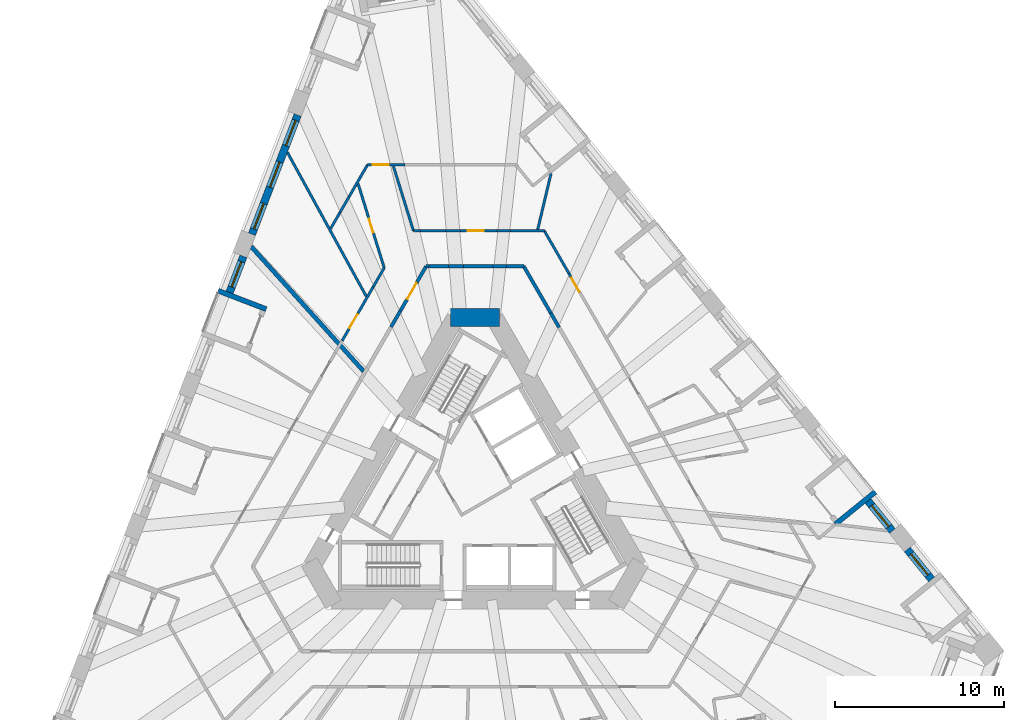
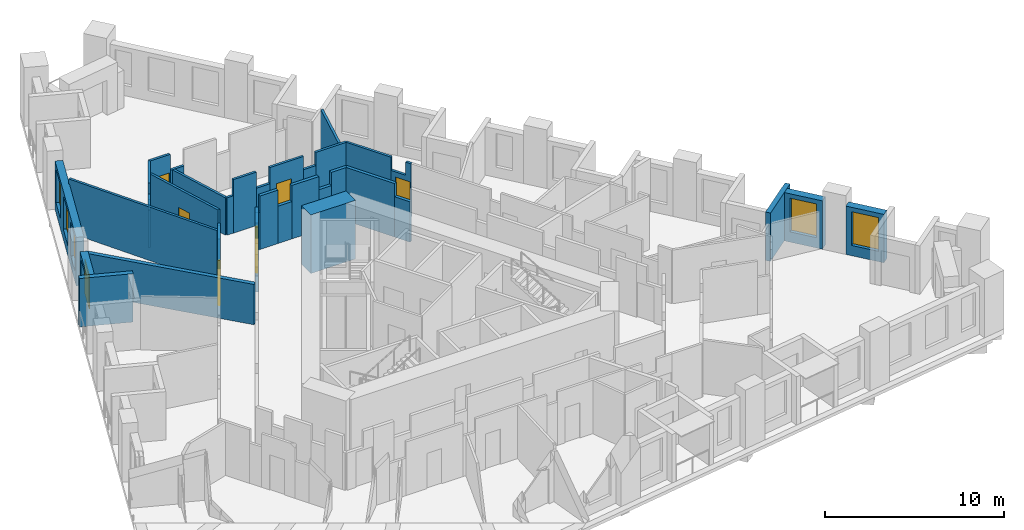
# One storey, part 8 of 14: 38 walls, 6 doors, 6 windows, 12 openings.
"""IFC4 building model written with IfcOpenShell, lengths in metres."""

import ifcopenshell
import ifcopenshell.guid

model = None  # the IFC model being written
_history = None  # IfcOwnerHistory: only IFC2X3 demands one
_inside = {}  # id of a spatial element -> (the spatial element, [elements in it])
_under = {}  # id of a project, library or spatial element -> (it, [spatial elements below it])
_declared = {}  # id of a project -> (the project, [libraries it declares])
_typed = {}  # id of a type object -> (the type object, [elements of that type])
_made_of = {}  # id of a material, layer set ... -> (it, [elements and type objects made of it])


def new_model(schema):
    """Start an empty IFC model of exactly this schema.

    Asked for "IFC4X3", IfcOpenShell would pick the latest addendum, in which some entities
    have other attributes; the version numbers below select the first issue.
    IFC2X3 requires an IfcOwnerHistory on every rooted entity: one is made here for all.
    """
    global model, _history
    if schema == "IFC4X3":
        model = ifcopenshell.file(schema_version=(4, 3, 0, 0))
    else:
        model = ifcopenshell.file(schema=schema)
    _inside.clear()
    _under.clear()
    _declared.clear()
    _typed.clear()
    _made_of.clear()
    _history = None
    if model.schema == "IFC2X3":
        org = make("IfcOrganization", Name="unknown")
        user = make(
            "IfcPersonAndOrganization",
            ThePerson=make("IfcPerson", FamilyName="unknown"),
            TheOrganization=org,
        )
        app = make(
            "IfcApplication",
            ApplicationDeveloper=org,
            Version="unknown",
            ApplicationFullName="unknown",
            ApplicationIdentifier="unknown",
        )
        _history = make(
            "IfcOwnerHistory",
            OwningUser=user,
            OwningApplication=app,
            ChangeAction="ADDED",
            CreationDate=0,
        )
    return model


def make(cls, **values):
    """One entity of the class cls with the attributes given. An attribute that is None is left unset."""
    return model.create_entity(
        cls, **{name: value for name, value in values.items() if value is not None}
    )


def rooted(cls, **values):
    """An entity with a GlobalId (a new one), such as an element, a storey or a relation."""
    return make(cls, GlobalId=ifcopenshell.guid.new(), OwnerHistory=_history, **values)


def si_unit(unit_type, name, prefix=None):
    """IfcSIUnit, for example si_unit("LENGTHUNIT", "METRE", prefix="MILLI")."""
    return make("IfcSIUnit", UnitType=unit_type, Prefix=prefix, Name=name)


def assignment(units):
    """IfcUnitAssignment: the units of a project."""
    return None if units is None else make("IfcUnitAssignment", Units=units)


def point(xyz):
    """IfcCartesianPoint."""
    return None if xyz is None else make("IfcCartesianPoint", Coordinates=xyz)


def direction(xyz):
    """IfcDirection."""
    return None if xyz is None else make("IfcDirection", DirectionRatios=xyz)


def frame(location, z_axis=None, x_axis=None):
    """IfcAxis2Placement3D, a coordinate frame: its origin and axes. An axis left out is left unset."""
    return make(
        "IfcAxis2Placement3D",
        Location=point(location),
        Axis=direction(z_axis),
        RefDirection=direction(x_axis),
    )


def frame_2d(location, x_axis=None):
    """IfcAxis2Placement2D, a coordinate frame in the plane: its origin and x axis."""
    return make(
        "IfcAxis2Placement2D", Location=point(location), RefDirection=direction(x_axis)
    )


def origin():
    """The frame at (0, 0, 0) with its axes left unset."""
    return frame((0.0, 0.0, 0.0))


def place(relative_to, where):
    """IfcLocalPlacement: puts the frame where relative to a parent placement (None: the world)."""
    return make(
        "IfcLocalPlacement", PlacementRelTo=relative_to, RelativePlacement=where
    )


def context(
    kind, dimensions, precision=None, world=None, true_north=None, identifier=None
):
    """IfcGeometricRepresentationContext, for example the 3D "Model" context."""
    return make(
        "IfcGeometricRepresentationContext",
        ContextIdentifier=identifier,
        ContextType=kind,
        CoordinateSpaceDimension=dimensions,
        Precision=precision,
        WorldCoordinateSystem=world,
        TrueNorth=true_north,
    )


def subcontext(parent, identifier, kind, view, scale=None):
    """IfcGeometricRepresentationSubContext, for example "Body" below "Model"."""
    return make(
        "IfcGeometricRepresentationSubContext",
        ContextIdentifier=identifier,
        ContextType=kind,
        ParentContext=parent,
        TargetScale=scale,
        TargetView=view,
    )


def project(units=None, contexts=None):
    """IfcProject with its units and contexts."""
    return rooted(
        "IfcProject",
        Name="project",
        RepresentationContexts=contexts,
        UnitsInContext=assignment(units),
    )


def spatial(cls, under=None, at=None, **own):
    """A site, building, storey or space (cls), placed at a placement, below another one or the project."""
    s = rooted(cls, ObjectPlacement=at, **own)
    if under is not None:
        _under.setdefault(under.id(), (under, []))[1].append(s)
    return s


def polyline(points):
    """IfcPolyline through the points."""
    return make("IfcPolyline", Points=[point(p) for p in points])


def profile(cls, at=None, kind="AREA", **sizes):
    """A parametric profile (cls). Its sizes go by their IFC names, for example OverallWidth=200.0."""
    return make(cls, ProfileType=kind, Position=at, **sizes)


def rectangle(**sizes):
    """IfcRectangleProfileDef."""
    return profile("IfcRectangleProfileDef", **sizes)


def outline(outer, holes=None, kind="AREA"):
    """IfcArbitraryClosedProfileDef: a profile drawn as a closed curve; with holes, ...WithVoids."""
    if holes is None:
        return make("IfcArbitraryClosedProfileDef", ProfileType=kind, OuterCurve=outer)
    return make(
        "IfcArbitraryProfileDefWithVoids",
        ProfileType=kind,
        OuterCurve=outer,
        InnerCurves=holes,
    )


def extrude(swept, where, along, depth):
    """IfcExtrudedAreaSolid: the profile swept, set in the frame where, extruded along a direction by depth."""
    return make(
        "IfcExtrudedAreaSolid",
        SweptArea=swept,
        Position=where,
        ExtrudedDirection=direction(along),
        Depth=depth,
    )


def shape(context_of_items, identifier, shape_type, items):
    """IfcShapeRepresentation: the items that make up one representation, for example the "Body"."""
    return make(
        "IfcShapeRepresentation",
        ContextOfItems=context_of_items,
        RepresentationIdentifier=identifier,
        RepresentationType=shape_type,
        Items=items,
    )


def material(Name=None, Category=None):
    """IfcMaterial."""
    return make("IfcMaterial", Name=Name, Category=Category)


def layer(
    of_material, thickness, ventilated=None, Name=None, Category=None, Priority=None
):
    """IfcMaterialLayer: one layer of a wall or slab, of a material (None: an air gap)."""
    return make(
        "IfcMaterialLayer",
        Material=of_material,
        LayerThickness=thickness,
        IsVentilated=ventilated,
        Name=Name,
        Category=Category,
        Priority=Priority,
    )


def layer_set(layers, Name=None):
    """IfcMaterialLayerSet."""
    return make("IfcMaterialLayerSet", MaterialLayers=layers, LayerSetName=Name)


def made_of(thing, what):
    """Note that an element or type object is made of a material, layer set ...; save() writes the relation."""
    if what is not None:
        _made_of.setdefault(what.id(), (what, []))[1].append(thing)
    return thing


def type_object(cls, material=None, **own):
    """A type object (cls), such as IfcWallType, which elements share."""
    return made_of(rooted(cls, **own), material)


def element(
    cls,
    number,
    at=None,
    inside=None,
    cuts=None,
    type_object=None,
    material=None,
    context=None,
    identifier="Body",
    shape_type=None,
    held_by="IfcProductDefinitionShape",
    body=None,
    shapes=None,
    **own,
):
    """One element of the class cls, such as IfcWall. Its Tag is "e" and its number.

    at: its placement. inside: the storey or other place that contains it. cuts: it is an
    opening in that element (IfcRelVoidsElement). A single representation is given by context,
    identifier, shape_type and body (its items); several are given by shapes. held_by: the class
    of the entity that holds the representations. save() writes the other relations.
    """
    e = rooted(cls, Tag="e%d" % number, ObjectPlacement=at, **own)
    if body is not None:
        shapes = [shape(context, identifier, shape_type, body)]
    if shapes is not None:
        e.Representation = make(held_by, Representations=shapes)
    if inside is not None:
        _inside.setdefault(inside.id(), (inside, []))[1].append(e)
    if cuts is not None:
        rooted(
            "IfcRelVoidsElement", RelatingBuildingElement=cuts, RelatedOpeningElement=e
        )
    if type_object is not None:
        _typed.setdefault(type_object.id(), (type_object, []))[1].append(e)
    return made_of(e, material)


def fill(opening, filler):
    """IfcRelFillsElement: the door or window that sits in an opening."""
    return rooted(
        "IfcRelFillsElement",
        RelatingOpeningElement=opening,
        RelatedBuildingElement=filler,
    )


def aggregate(whole, parts):
    """IfcRelAggregates: a whole, such as a stair, and the parts it consists of."""
    return rooted("IfcRelAggregates", RelatingObject=whole, RelatedObjects=parts)


def save(model, path):
    """Write the relations noted so far, then the file.

    IfcRelAggregates (storeys below a building ...), IfcRelContainedInSpatialStructure (elements
    in a storey), IfcRelDefinesByType, IfcRelAssociatesMaterial and IfcRelDeclares: one each for
    every whole, place, type object, material and project.
    """
    for whole, parts in _under.values():
        aggregate(whole, parts)
    for where, things in _inside.values():
        rooted(
            "IfcRelContainedInSpatialStructure",
            RelatedElements=things,
            RelatingStructure=where,
        )
    for kind, things in _typed.values():
        rooted("IfcRelDefinesByType", RelatedObjects=things, RelatingType=kind)
    for what, things in _made_of.values():
        rooted("IfcRelAssociatesMaterial", RelatedObjects=things, RelatingMaterial=what)
    for by, libraries in _declared.values():
        rooted("IfcRelDeclares", RelatingContext=by, RelatedDefinitions=libraries)
    model.write(path)


model = new_model("IFC4")

# Units and contexts
model_context = context("Model", 3, precision=1e-05, world=origin(), true_north=direction((0.0, 1.0)))
body_context = subcontext(model_context, "Body", "Model", "MODEL_VIEW")
ifc_project = project(units=[si_unit("LENGTHUNIT", "METRE"), si_unit("AREAUNIT", "SQUARE_METRE"), si_unit("VOLUMEUNIT", "CUBIC_METRE"), si_unit("PLANEANGLEUNIT", "RADIAN"), si_unit("MASSUNIT", "GRAM", prefix="KILO")], contexts=[model_context])

# Site, building, storey
site_placement = place(None, origin())
site = spatial("IfcSite", under=ifc_project, at=site_placement, CompositionType="ELEMENT")
building_placement = place(site_placement, origin())
building = spatial("IfcBuilding", under=site, at=building_placement, Name="Tramontana Tower", CompositionType="ELEMENT")
storey_placement = place(building_placement, frame((0.0, 0.0, 79.199951171875)))
storey = spatial("IfcBuildingStorey", under=building, at=storey_placement, Name="L17", CompositionType="ELEMENT", Elevation=79.199951171875)

# Walls
ifc_material_1 = material(Name="Concrete 70 MPa", Category="concrete")
ifc_layer_1 = layer(ifc_material_1, 1.050048828125)
ifc_layer_set_1 = layer_set([ifc_layer_1], Name="Core wall 1050 70 MPa")
wall_type_1 = type_object("IfcWallType", Name="Core wall 1050 70 MPa", PredefinedType="SHEAR", material=ifc_layer_set_1)
wall_1_placement = place(storey_placement, frame((1.443359375, 10.47509765625, 0.0), z_axis=(0.0, 0.0, 1.0), x_axis=(-1.0, 0.0, 0.0)))
element("IfcWall", 1, at=wall_1_placement, inside=storey, type_object=wall_type_1, Name="Core wall C0 L17", PredefinedType="SHEAR", context=body_context, shape_type="SweptSolid", body=[
    extrude(rectangle(XDim=2.88671875, YDim=1.050048828125, at=frame_2d((1.443359375, 0.0))), origin(), (0.0, 0.0, 1.0), 4.0),
])
ifc_material_2 = material(Name="Blockwork", Category="masonry")
ifc_layer_2 = layer(ifc_material_2, 0.199951171875)
ifc_layer_set_2 = layer_set([ifc_layer_2], Name="ENTRY WALL 200")
wall_type_2 = type_object("IfcWallType", Name="ENTRY WALL 200", PredefinedType="SOLIDWALL", material=ifc_layer_set_2)
wall_2_placement = place(storey_placement, frame((2.88671875, 13.5, 0.0), z_axis=(0.0, 0.0, 1.0), x_axis=(0.50003154259, -0.866007191896, 0.0)))
element("IfcWall", 2, at=wall_2_placement, inside=storey, type_object=wall_type_2, Name="Wall v12-ew0-0", PredefinedType="SOLIDWALL", context=body_context, shape_type="SweptSolid", body=[
    extrude(rectangle(XDim=3.190673828125, YDim=0.199951171875, at=frame_2d((1.59521484375, 0.0))), origin(), (0.0, 0.0, 1.0), 3.650146484375),
])
wall_3_placement = place(storey_placement, frame((4.482177734375, 10.73681640625, 0.0), z_axis=(0.0, 0.0, 1.0), x_axis=(0.499966601515, -0.86604468555, 0.0)))
element("IfcWall", 3, at=wall_3_placement, inside=storey, type_object=wall_type_2, Name="Wall v12-ew0-1", PredefinedType="SOLIDWALL", context=body_context, shape_type="SweptSolid", body=[
    extrude(rectangle(XDim=0.98095703125, YDim=0.199951171875, at=frame_2d((0.490478515625, 0.0))), origin(), (0.0, 0.0, 1.0), 2.75),
])
wall_4_placement = place(storey_placement, frame((-4.95751953125, 9.913330078125, 0.0), z_axis=(0.0, 0.0, 1.0), x_axis=(0.499951133605, 0.866053614973, 0.0)))
element("IfcWall", 4, at=wall_4_placement, inside=storey, type_object=wall_type_2, Name="Wall v12-ew4-7", PredefinedType="SOLIDWALL", context=body_context, shape_type="SweptSolid", body=[
    extrude(rectangle(XDim=1.10888671875, YDim=0.199951171875, at=frame_2d((0.554443359375, 0.0))), origin(), (0.0, 0.0, 1.0), 2.550048828125),
])

# Wall, opening, door
wall_5_placement = place(storey_placement, frame((-4.403076171875, 10.873779296875, 0.0), z_axis=(0.0, 0.0, 1.0), x_axis=(0.500059920742, 0.865990805764, 0.0)))
wall_5 = element("IfcWall", 5, at=wall_5_placement, inside=storey, type_object=wall_type_2, Name="Wall v12-ew4-8", PredefinedType="SOLIDWALL", context=body_context, shape_type="SweptSolid", body=[
    extrude(rectangle(XDim=1.962158203125, YDim=0.199951171875, at=frame_2d((0.98095703125, 0.0))), origin(), (0.0, 0.0, 1.0), 3.650146484375),
])
opening_1_placement = place(wall_5_placement, frame((0.789306640625, 0.0, 0.0)))
opening_1 = element("IfcOpeningElement", 6, at=opening_1_placement, cuts=wall_5, Name="Opening B1C-24", PredefinedType="OPENING", context=body_context, shape_type="SweptSolid", body=[
    extrude(rectangle(XDim=1.10009765625, YDim=2.39990234375, at=frame_2d((0.550048828125, 1.199951171875))), frame((0.0, 0.10986328125, 0.0), z_axis=(0.0, -1.0, 0.0), x_axis=(1.0, 0.0, 0.0)), (0.0, 0.0, 1.0), 0.219970703125),
])
ifc_material_3 = material(Name="Painted timber", Category="wood")
door_type_1 = type_object("IfcDoorType", Name="DOOR ENTRY 1100", OperationType="SINGLE_SWING_LEFT", PredefinedType="DOOR", material=ifc_material_3)
door_1_placement = place(opening_1_placement, origin())
door_1 = element("IfcDoor", 7, at=door_1_placement, inside=storey, type_object=door_type_1, Name="Door B1C-24", OperationType="SINGLE_SWING_RIGHT", OverallHeight=2.39990234375, OverallWidth=1.10009765625, PredefinedType="DOOR", context=body_context, shape_type="SweptSolid", body=[
    extrude(rectangle(XDim=1.10009765625, YDim=2.39990234375, at=frame_2d((0.550048828125, 1.199951171875))), frame((0.0, 0.02490234375, 0.0), z_axis=(0.0, -1.0, 0.0), x_axis=(1.0, 0.0, 0.0)), (0.0, 0.0, 1.0), 0.050048828125),
])
fill(opening_1, door_1)

# Walls
wall_6_placement = place(storey_placement, frame((-3.421875, 12.572998046875, 0.0), z_axis=(0.0, 0.0, 1.0), x_axis=(0.49996596245, 0.866045054481, 0.0)))
element("IfcWall", 8, at=wall_6_placement, inside=storey, type_object=wall_type_2, Name="Wall v12-ew4-9", PredefinedType="SOLIDWALL", context=body_context, shape_type="SweptSolid", body=[
    extrude(rectangle(XDim=1.0703125, YDim=0.199951171875, at=frame_2d((0.53515625, 0.0))), origin(), (0.0, 0.0, 1.0), 2.550048828125),
])
wall_7_placement = place(storey_placement, frame((-2.88671875, 13.5, 0.0), z_axis=(0.0, 0.0, 1.0), x_axis=(1.0, 0.0, 0.0)))
element("IfcWall", 9, at=wall_7_placement, inside=storey, type_object=wall_type_2, Name="Wall v12-ew5-0", PredefinedType="SOLIDWALL", context=body_context, shape_type="SweptSolid", body=[
    extrude(rectangle(XDim=0.171142578125, YDim=0.199951171875, at=frame_2d((0.08544921875, 0.0))), origin(), (0.0, 0.0, 1.0), 2.550048828125),
])
wall_8_placement = place(storey_placement, frame((-2.715576171875, 13.5, 0.0), z_axis=(0.0, 0.0, 1.0), x_axis=(1.0, 0.0, 0.0)))
element("IfcWall", 10, at=wall_8_placement, inside=storey, type_object=wall_type_2, Name="Wall v12-ew5-1", PredefinedType="SOLIDWALL", context=body_context, shape_type="SweptSolid", body=[
    extrude(rectangle(XDim=1.141357421875, YDim=0.199951171875, at=frame_2d((0.57080078125, 0.0))), origin(), (0.0, 0.0, 1.0), 3.650146484375),
])
wall_9_placement = place(storey_placement, frame((-1.57421875, 13.5, 0.0), z_axis=(0.0, 0.0, 1.0), x_axis=(1.0, 0.0, 0.0)))
element("IfcWall", 11, at=wall_9_placement, inside=storey, type_object=wall_type_2, Name="Wall v12-ew5-2", PredefinedType="SOLIDWALL", context=body_context, shape_type="SweptSolid", body=[
    extrude(rectangle(XDim=0.903076171875, YDim=0.199951171875, at=frame_2d((0.45166015625, 0.0))), origin(), (0.0, 0.0, 1.0), 2.550048828125),
])
wall_10_placement = place(storey_placement, frame((-0.671142578125, 13.5, 0.0), z_axis=(0.0, 0.0, 1.0), x_axis=(1.0, 0.0, 0.0)))
element("IfcWall", 12, at=wall_10_placement, inside=storey, type_object=wall_type_2, Name="Wall v12-ew5-3", PredefinedType="SOLIDWALL", context=body_context, shape_type="SweptSolid", body=[
    extrude(rectangle(XDim=1.745361328125, YDim=0.199951171875, at=frame_2d((0.87255859375, 0.0))), origin(), (0.0, 0.0, 1.0), 3.650146484375),
])
wall_11_placement = place(storey_placement, frame((1.07421875, 13.5, 0.0), z_axis=(0.0, 0.0, 1.0), x_axis=(1.0, 0.0, 0.0)))
element("IfcWall", 13, at=wall_11_placement, inside=storey, type_object=wall_type_2, Name="Wall v12-ew5-4", PredefinedType="SOLIDWALL", context=body_context, shape_type="SweptSolid", body=[
    extrude(rectangle(XDim=0.804931640625, YDim=0.199951171875, at=frame_2d((0.40234375, 0.0))), origin(), (0.0, 0.0, 1.0), 2.75),
])
wall_12_placement = place(storey_placement, frame((1.879150390625, 13.5, 0.0), z_axis=(0.0, 0.0, 1.0), x_axis=(1.0, 0.0, 0.0)))
element("IfcWall", 14, at=wall_12_placement, inside=storey, type_object=wall_type_2, Name="Wall v12-ew5-5", PredefinedType="SOLIDWALL", context=body_context, shape_type="SweptSolid", body=[
    extrude(rectangle(XDim=1.007568359375, YDim=0.199951171875, at=frame_2d((0.50390625, 0.0))), origin(), (0.0, 0.0, 1.0), 3.650146484375),
])

# Wall, openings, windows
ifc_material_4 = material(Name="Precast concrete 60 MPa", Category="concrete")
ifc_layer_3 = layer(ifc_material_4, 0.449951171875)
ifc_layer_set_3 = layer_set([ifc_layer_3], Name="Precast concrete 60 MPa, 450 mm")
wall_type_3 = type_object("IfcWallType", Name="EW1 Stone-faced precast wall 450", PredefinedType="SOLIDWALL", material=ifc_layer_set_3)
wall_13_placement = place(storey_placement, frame((-10.47802734375, 22.443603515625, 0.0), z_axis=(0.0, 0.0, 1.0), x_axis=(-0.358339674384, -0.933591279823, 0.0)))
wall_13 = element("IfcWall", 15, at=wall_13_placement, inside=storey, type_object=wall_type_3, Name="External wall L17 face 0 bay 2", PredefinedType="SOLIDWALL", context=body_context, shape_type="SweptSolid", body=[
    extrude(rectangle(XDim=7.548828125, YDim=0.449951171875, at=frame_2d((3.7744140625, 0.0))), origin(), (0.0, 0.0, 1.0), 3.300048828125),
])
opening_2_placement = place(wall_13_placement, frame((0.341552734375, 0.0, 0.699951171875)))
opening_2 = element("IfcOpeningElement", 16, at=opening_2_placement, cuts=wall_13, Name="Opening M1", PredefinedType="OPENING", context=body_context, shape_type="SweptSolid", body=[
    extrude(rectangle(XDim=1.60009765625, YDim=2.300048828125, at=frame_2d((0.800048828125, 1.14990234375))), frame((0.0, 0.23486328125, 0.0), z_axis=(0.0, -1.0, 0.0), x_axis=(1.0, 0.0, 0.0)), (0.0, 0.0, 1.0), 0.469970703125),
])
opening_3_placement = place(wall_13_placement, frame((2.974365234375, 0.0, 0.699951171875)))
opening_3 = element("IfcOpeningElement", 17, at=opening_3_placement, cuts=wall_13, Name="Opening M1", PredefinedType="OPENING", context=body_context, shape_type="SweptSolid", body=[
    extrude(rectangle(XDim=1.60009765625, YDim=2.300048828125, at=frame_2d((0.800048828125, 1.14990234375))), frame((0.0, 0.23486328125, 0.0), z_axis=(0.0, -1.0, 0.0), x_axis=(1.0, 0.0, 0.0)), (0.0, 0.0, 1.0), 0.469970703125),
])
opening_4_placement = place(wall_13_placement, frame((5.607421875, 0.0, 0.699951171875)))
opening_4 = element("IfcOpeningElement", 18, at=opening_4_placement, cuts=wall_13, Name="Opening M1", PredefinedType="OPENING", context=body_context, shape_type="SweptSolid", body=[
    extrude(rectangle(XDim=1.60009765625, YDim=2.300048828125, at=frame_2d((0.800048828125, 1.14990234375))), frame((0.0, 0.23486328125, 0.0), z_axis=(0.0, -1.0, 0.0), x_axis=(1.0, 0.0, 0.0)), (0.0, 0.0, 1.0), 0.469970703125),
])
ifc_material_5 = material(Name="Aluminum frame, double glazing unit", Category="aluminium")
window_type = type_object("IfcWindowType", Name="M1 Window 1.6 x 2.3", PartitioningType="SINGLE_PANEL", PredefinedType="WINDOW", material=ifc_material_5)
window_1_placement = place(opening_2_placement, origin())
window_1 = element("IfcWindow", 19, at=window_1_placement, inside=storey, type_object=window_type, Name="Window M1 L17 face 0 module 4", OverallHeight=2.300048828125, OverallWidth=1.60009765625, PartitioningType="SINGLE_PANEL", PredefinedType="WINDOW", context=body_context, shape_type="SweptSolid", body=[
    extrude(rectangle(XDim=1.60009765625, YDim=2.300048828125, at=frame_2d((0.800048828125, 1.14990234375))), frame((0.0, 0.030029296875, 0.0), z_axis=(0.0, -1.0, 0.0), x_axis=(1.0, 0.0, 0.0)), (0.0, 0.0, 1.0), 0.06005859375),
])
fill(opening_2, window_1)
window_2_placement = place(opening_3_placement, origin())
window_2 = element("IfcWindow", 20, at=window_2_placement, inside=storey, type_object=window_type, Name="Window M1 L17 face 0 module 5", OverallHeight=2.300048828125, OverallWidth=1.60009765625, PartitioningType="SINGLE_PANEL", PredefinedType="WINDOW", context=body_context, shape_type="SweptSolid", body=[
    extrude(rectangle(XDim=1.60009765625, YDim=2.300048828125, at=frame_2d((0.800048828125, 1.14990234375))), frame((0.0, 0.030029296875, 0.0), z_axis=(0.0, -1.0, 0.0), x_axis=(1.0, 0.0, 0.0)), (0.0, 0.0, 1.0), 0.06005859375),
])
fill(opening_3, window_2)
window_3_placement = place(opening_4_placement, origin())
window_3 = element("IfcWindow", 21, at=window_3_placement, inside=storey, type_object=window_type, Name="Window M1 L17 face 0 module 6", OverallHeight=2.300048828125, OverallWidth=1.60009765625, PartitioningType="SINGLE_PANEL", PredefinedType="WINDOW", context=body_context, shape_type="SweptSolid", body=[
    extrude(rectangle(XDim=1.60009765625, YDim=2.300048828125, at=frame_2d((0.800048828125, 1.14990234375))), frame((0.0, 0.030029296875, 0.0), z_axis=(0.0, -1.0, 0.0), x_axis=(1.0, 0.0, 0.0)), (0.0, 0.0, 1.0), 0.06005859375),
])
fill(opening_4, window_3)

# Wall, opening, window
wall_14_placement = place(storey_placement, frame((-13.684814453125, 14.0888671875, 0.0), z_axis=(0.0, 0.0, 1.0), x_axis=(-0.35844875217, -0.933549405264, 0.0)))
wall_14 = element("IfcWall", 22, at=wall_14_placement, inside=storey, type_object=wall_type_3, Name="External wall L17 face 0 bay 3", PredefinedType="SOLIDWALL", context=body_context, shape_type="SweptSolid", body=[
    extrude(rectangle(XDim=2.282958984375, YDim=0.449951171875, at=frame_2d((1.1416015625, 0.0))), origin(), (0.0, 0.0, 1.0), 3.300048828125),
])
opening_5_placement = place(wall_14_placement, frame((0.341552734375, 0.0, 0.699951171875)))
opening_5 = element("IfcOpeningElement", 23, at=opening_5_placement, cuts=wall_14, Name="Opening M1", PredefinedType="OPENING", context=body_context, shape_type="SweptSolid", body=[
    extrude(rectangle(XDim=1.60009765625, YDim=2.300048828125, at=frame_2d((0.800048828125, 1.14990234375))), frame((0.0, 0.23486328125, 0.0), z_axis=(0.0, -1.0, 0.0), x_axis=(1.0, 0.0, 0.0)), (0.0, 0.0, 1.0), 0.469970703125),
])
window_4_placement = place(opening_5_placement, origin())
window_4 = element("IfcWindow", 24, at=window_4_placement, inside=storey, type_object=window_type, Name="Window M1 L17 face 0 module 7", OverallHeight=2.300048828125, OverallWidth=1.60009765625, PartitioningType="SINGLE_PANEL", PredefinedType="WINDOW", context=body_context, shape_type="SweptSolid", body=[
    extrude(rectangle(XDim=1.60009765625, YDim=2.300048828125, at=frame_2d((0.800048828125, 1.14990234375))), frame((0.0, 0.030029296875, 0.0), z_axis=(0.0, -1.0, 0.0), x_axis=(1.0, 0.0, 0.0)), (0.0, 0.0, 1.0), 0.06005859375),
])
fill(opening_5, window_4)

wall_15_placement = place(storey_placement, frame((26.993408203125, -5.009765625, 0.0), z_axis=(0.0, 0.0, 1.0), x_axis=(-0.629339730135, 0.777130300576, 0.0)))
wall_15 = element("IfcWall", 25, at=wall_15_placement, inside=storey, type_object=wall_type_3, Name="External wall L17 face 2 bay 1", PredefinedType="SOLIDWALL", context=body_context, shape_type="SweptSolid", body=[
    extrude(rectangle(XDim=2.282958984375, YDim=0.449951171875, at=frame_2d((1.1416015625, 0.0))), origin(), (0.0, 0.0, 1.0), 3.300048828125),
])
opening_6_placement = place(wall_15_placement, frame((0.341552734375, 0.0, 0.699951171875)))
opening_6 = element("IfcOpeningElement", 26, at=opening_6_placement, cuts=wall_15, Name="Opening M1", PredefinedType="OPENING", context=body_context, shape_type="SweptSolid", body=[
    extrude(rectangle(XDim=1.60009765625, YDim=2.300048828125, at=frame_2d((0.800048828125, 1.14990234375))), frame((0.0, 0.23486328125, 0.0), z_axis=(0.0, -1.0, 0.0), x_axis=(1.0, 0.0, 0.0)), (0.0, 0.0, 1.0), 0.469970703125),
])
window_5_placement = place(opening_6_placement, origin())
window_5 = element("IfcWindow", 27, at=window_5_placement, inside=storey, type_object=window_type, Name="Window M1 L17 face 2 module 3", OverallHeight=2.300048828125, OverallWidth=1.60009765625, PartitioningType="SINGLE_PANEL", PredefinedType="WINDOW", context=body_context, shape_type="SweptSolid", body=[
    extrude(rectangle(XDim=1.60009765625, YDim=2.300048828125, at=frame_2d((0.800048828125, 1.14990234375))), frame((0.0, 0.030029296875, 0.0), z_axis=(0.0, -1.0, 0.0), x_axis=(1.0, 0.0, 0.0)), (0.0, 0.0, 1.0), 0.06005859375),
])
fill(opening_6, window_5)

wall_16_placement = place(storey_placement, frame((24.675537109375, -2.147705078125, 0.0), z_axis=(0.0, 0.0, 1.0), x_axis=(-0.629287431131, 0.777172650716, 0.0)))
wall_16 = element("IfcWall", 28, at=wall_16_placement, inside=storey, type_object=wall_type_3, Name="External wall L17 face 2 bay 2", PredefinedType="SOLIDWALL", context=body_context, shape_type="SweptSolid", body=[
    extrude(rectangle(XDim=2.283203125, YDim=0.449951171875, at=frame_2d((1.1416015625, 0.0))), origin(), (0.0, 0.0, 1.0), 3.300048828125),
])
opening_7_placement = place(wall_16_placement, frame((0.341552734375, 0.0, 0.699951171875)))
opening_7 = element("IfcOpeningElement", 29, at=opening_7_placement, cuts=wall_16, Name="Opening M1", PredefinedType="OPENING", context=body_context, shape_type="SweptSolid", body=[
    extrude(rectangle(XDim=1.60009765625, YDim=2.300048828125, at=frame_2d((0.800048828125, 1.14990234375))), frame((0.0, 0.23486328125, 0.0), z_axis=(0.0, -1.0, 0.0), x_axis=(1.0, 0.0, 0.0)), (0.0, 0.0, 1.0), 0.469970703125),
])
window_6_placement = place(opening_7_placement, origin())
window_6 = element("IfcWindow", 30, at=window_6_placement, inside=storey, type_object=window_type, Name="Window M1 L17 face 2 module 4", OverallHeight=2.300048828125, OverallWidth=1.60009765625, PartitioningType="SINGLE_PANEL", PredefinedType="WINDOW", context=body_context, shape_type="SweptSolid", body=[
    extrude(rectangle(XDim=1.60009765625, YDim=2.300048828125, at=frame_2d((0.800048828125, 1.14990234375))), frame((0.0, 0.030029296875, 0.0), z_axis=(0.0, -1.0, 0.0), x_axis=(1.0, 0.0, 0.0)), (0.0, 0.0, 1.0), 0.06005859375),
])
fill(opening_7, window_6)

# Walls
ifc_material_6 = material(Name="Precast concrete 60 MPa", Category="concrete")
ifc_layer_4 = layer(ifc_material_6, 0.300048828125)
ifc_layer_set_4 = layer_set([ifc_layer_4], Name="LW1 Stone-faced loggia wall 300")
wall_type_4 = type_object("IfcWallType", Name="LW1 Stone-faced loggia wall 300", PredefinedType="SOLIDWALL", material=ifc_layer_set_4)
wall_17_placement = place(storey_placement, frame((-15.18701171875, 12.0595703125, 0.0), z_axis=(0.0, 0.0, 1.0), x_axis=(0.933580593625, -0.358367514161, 0.0)))
element("IfcWall", 31, at=wall_17_placement, inside=storey, type_object=wall_type_4, Name="Loggia return L17 G1S0.7a", PredefinedType="SOLIDWALL", context=body_context, shape_type="SweptSolid", body=[
    extrude(rectangle(XDim=3.050048828125, YDim=0.300048828125, at=frame_2d((1.52490234375, 0.0))), origin(), (0.0, 0.0, 1.0), 3.300048828125),
])
wall_18_placement = place(storey_placement, frame((23.6689453125, 0.16796875, 0.0), z_axis=(0.0, 0.0, 1.0), x_axis=(-0.777121820661, -0.629350201281, 0.0)))
element("IfcWall", 32, at=wall_18_placement, inside=storey, type_object=wall_type_4, Name="Loggia return L17 G1S2.4a", PredefinedType="SOLIDWALL", context=body_context, shape_type="SweptSolid", body=[
    extrude(rectangle(XDim=3.0498046875, YDim=0.300048828125, at=frame_2d((1.52490234375, 0.0))), origin(), (0.0, 0.0, 1.0), 3.300048828125),
])

# Wall, opening, door
ifc_material_7 = material(Name="Gypsum board partition")
ifc_layer_5 = layer(ifc_material_7, 0.14990234375)
ifc_layer_set_5 = layer_set([ifc_layer_5], Name="PARTITION 150")
wall_type_5 = type_object("IfcWallType", Name="PARTITION 150", PredefinedType="PARTITIONING", material=ifc_layer_set_5)
wall_19_placement = place(storey_placement, frame((-7.85107421875, 9.1015625, 0.0), z_axis=(0.0, 0.0, 1.0), x_axis=(0.500002145574, 0.866024165033, 0.0)))
wall_19 = element("IfcWall", 33, at=wall_19_placement, inside=storey, type_object=wall_type_5, Name="Wall v12-pw03-6", PredefinedType="PARTITIONING", context=body_context, shape_type="SweptSolid", body=[
    extrude(rectangle(XDim=3.67724609375, YDim=0.14990234375, at=frame_2d((1.838623046875, 0.0))), origin(), (0.0, 0.0, 1.0), 3.650146484375),
])
opening_8_placement = place(wall_19_placement, frame((0.85595703125, 0.0, 0.0)))
opening_8 = element("IfcOpeningElement", 34, at=opening_8_placement, cuts=wall_19, Name="Opening B1C-06", PredefinedType="OPENING", context=body_context, shape_type="SweptSolid", body=[
    extrude(rectangle(XDim=0.949951171875, YDim=2.39990234375, at=frame_2d((0.47509765625, 1.199951171875))), frame((0.0, 0.0849609375, 0.0), z_axis=(0.0, -1.0, 0.0), x_axis=(1.0, 0.0, 0.0)), (0.0, 0.0, 1.0), 0.169921875),
])
ifc_material_8 = material(Name="Painted timber", Category="wood")
door_type_2 = type_object("IfcDoorType", Name="DOOR ROOM 950", OperationType="SINGLE_SWING_LEFT", PredefinedType="DOOR", material=ifc_material_8)
door_2_placement = place(opening_8_placement, origin())
door_2 = element("IfcDoor", 35, at=door_2_placement, inside=storey, type_object=door_type_2, Name="Door B1C-06", OperationType="SINGLE_SWING_RIGHT", OverallHeight=2.39990234375, OverallWidth=0.949951171875, PredefinedType="DOOR", context=body_context, shape_type="SweptSolid", body=[
    extrude(rectangle(XDim=0.949951171875, YDim=2.39990234375, at=frame_2d((0.47509765625, 1.199951171875))), frame((0.0, 0.02490234375, 0.0), z_axis=(0.0, -1.0, 0.0), x_axis=(1.0, 0.0, 0.0)), (0.0, 0.0, 1.0), 0.050048828125),
])
fill(opening_8, door_2)

# Walls
wall_20_placement = place(storey_placement, frame((-6.012451171875, 12.2861328125, 0.0), z_axis=(0.0, 0.0, 1.0), x_axis=(0.500096187746, 0.86596986264, 0.0)))
element("IfcWall", 36, at=wall_20_placement, inside=storey, type_object=wall_type_5, Name="Wall v12-pw03-7", PredefinedType="PARTITIONING", context=body_context, shape_type="SweptSolid", body=[
    extrude(rectangle(XDim=1.300537109375, YDim=0.14990234375, at=frame_2d((0.650390625, 0.0))), origin(), (0.0, 0.0, 1.0), 2.550048828125),
])
wall_21_placement = place(storey_placement, frame((-8.53076171875, 15.724365234375, 0.0), z_axis=(0.0, 0.0, 1.0), x_axis=(0.499993928037, 0.866028909405, 0.0)))
element("IfcWall", 37, at=wall_21_placement, inside=storey, type_object=wall_type_5, Name="Wall v12-pw14-0", PredefinedType="PARTITIONING", context=body_context, shape_type="SweptSolid", body=[
    extrude(rectangle(XDim=1.08984375, YDim=0.14990234375, at=frame_2d((0.544921875, 0.0))), origin(), (0.0, 0.0, 1.0), 3.650146484375),
])
wall_22_placement = place(storey_placement, frame((-7.98583984375, 16.668212890625, 0.0), z_axis=(0.0, 0.0, 1.0), x_axis=(0.500107854436, 0.865963125042, 0.0)))
element("IfcWall", 38, at=wall_22_placement, inside=storey, type_object=wall_type_5, Name="Wall v12-pw14-1", PredefinedType="PARTITIONING", context=body_context, shape_type="SweptSolid", body=[
    extrude(rectangle(XDim=1.078369140625, YDim=0.14990234375, at=frame_2d((0.5390625, 0.0))), origin(), (0.0, 0.0, 1.0), 2.550048828125),
])
wall_23_placement = place(storey_placement, frame((-7.446533203125, 17.60205078125, 0.0), z_axis=(0.0, 0.0, 1.0), x_axis=(0.499973180286, 0.8660408876, 0.0)))
element("IfcWall", 39, at=wall_23_placement, inside=storey, type_object=wall_type_5, Name="Wall v12-pw14-2", PredefinedType="PARTITIONING", context=body_context, shape_type="SweptSolid", body=[
    extrude(rectangle(XDim=2.19140625, YDim=0.14990234375, at=frame_2d((1.095703125, 0.0))), origin(), (0.0, 0.0, 1.0), 3.650146484375),
])
wall_24_placement = place(storey_placement, frame((-6.423828125, 11.723388671875, 0.0), z_axis=(0.0, 0.0, 1.0), x_axis=(-0.48054737778, 0.876968766666, 0.0)))
element("IfcWall", 40, at=wall_24_placement, inside=storey, type_object=wall_type_5, Name="Wall v12-pw17", PredefinedType="PARTITIONING", context=body_context, shape_type="SweptSolid", body=[
    extrude(rectangle(XDim=9.70166015625, YDim=0.14990234375, at=frame_2d((4.850830078125, 0.0))), origin(), (0.0, 0.0, 1.0), 3.650146484375),
])

# Wall, opening, door
wall_25_placement = place(storey_placement, frame((-6.350830078125, 19.5, 0.0), z_axis=(0.0, 0.0, 1.0), x_axis=(1.0, 0.0, 0.0)))
wall_25 = element("IfcWall", 41, at=wall_25_placement, inside=storey, type_object=wall_type_5, Name="Wall v12-pw18-0", PredefinedType="PARTITIONING", context=body_context, shape_type="SweptSolid", body=[
    extrude(rectangle(XDim=1.311279296875, YDim=0.14990234375, at=frame_2d((0.65576171875, 0.0))), origin(), (0.0, 0.0, 1.0), 3.650146484375),
])
opening_9_placement = place(wall_25_placement, frame((0.298095703125, 0.0, 0.0)))
opening_9 = element("IfcOpeningElement", 42, at=opening_9_placement, cuts=wall_25, Name="Opening B1C-03", PredefinedType="OPENING", context=body_context, shape_type="SweptSolid", body=[
    extrude(rectangle(XDim=0.949951171875, YDim=2.39990234375, at=frame_2d((0.47509765625, 1.199951171875))), frame((0.0, 0.0849609375, 0.0), z_axis=(0.0, -1.0, 0.0), x_axis=(1.0, 0.0, 0.0)), (0.0, 0.0, 1.0), 0.169921875),
])
door_3_placement = place(opening_9_placement, origin())
door_3 = element("IfcDoor", 43, at=door_3_placement, inside=storey, type_object=door_type_2, Name="Door B1C-03", OperationType="SINGLE_SWING_LEFT", OverallHeight=2.39990234375, OverallWidth=0.949951171875, PredefinedType="DOOR", context=body_context, shape_type="SweptSolid", body=[
    extrude(rectangle(XDim=0.949951171875, YDim=2.39990234375, at=frame_2d((0.47509765625, 1.199951171875))), frame((0.0, 0.02490234375, 0.0), z_axis=(0.0, -1.0, 0.0), x_axis=(1.0, 0.0, 0.0)), (0.0, 0.0, 1.0), 0.050048828125),
])
fill(opening_9, door_3)

# Wall
wall_26_placement = place(storey_placement, frame((-5.03955078125, 19.5, 0.0), z_axis=(0.0, 0.0, 1.0), x_axis=(1.0, 0.0, 0.0)))
element("IfcWall", 44, at=wall_26_placement, inside=storey, type_object=wall_type_5, Name="Wall v12-pw18-1", PredefinedType="PARTITIONING", context=body_context, shape_type="SweptSolid", body=[
    extrude(rectangle(XDim=0.89892578125, YDim=0.14990234375, at=frame_2d((0.449462890625, 0.0))), origin(), (0.0, 0.0, 1.0), 2.550048828125),
])

# Wall, opening, door
wall_27_placement = place(storey_placement, frame((-5.3642578125, 13.408935546875, 0.0), z_axis=(0.0, 0.0, 1.0), x_axis=(-0.296294566298, 0.95509660767, 0.0)))
wall_27 = element("IfcWall", 45, at=wall_27_placement, inside=storey, type_object=wall_type_5, Name="Wall v12-pw19", PredefinedType="PARTITIONING", context=body_context, shape_type="SweptSolid", body=[
    extrude(rectangle(XDim=5.2099609375, YDim=0.14990234375, at=frame_2d((2.60498046875, 0.0))), origin(), (0.0, 0.0, 1.0), 3.650146484375),
])
opening_10_placement = place(wall_27_placement, frame((2.179931640625, 0.0, 0.0)))
opening_10 = element("IfcOpeningElement", 46, at=opening_10_placement, cuts=wall_27, Name="Opening B1C-02", PredefinedType="OPENING", context=body_context, shape_type="SweptSolid", body=[
    extrude(rectangle(XDim=0.85009765625, YDim=2.39990234375, at=frame_2d((0.425048828125, 1.199951171875))), frame((0.0, 0.0849609375, 0.0), z_axis=(0.0, -1.0, 0.0), x_axis=(1.0, 0.0, 0.0)), (0.0, 0.0, 1.0), 0.169921875),
])
ifc_material_9 = material(Name="Painted timber", Category="wood")
door_type_3 = type_object("IfcDoorType", Name="DOOR BATH 850", OperationType="SINGLE_SWING_LEFT", PredefinedType="DOOR", material=ifc_material_9)
door_4_placement = place(opening_10_placement, origin())
door_4 = element("IfcDoor", 47, at=door_4_placement, inside=storey, type_object=door_type_3, Name="Door B1C-02", OperationType="SINGLE_SWING_RIGHT", OverallHeight=2.39990234375, OverallWidth=0.85009765625, PredefinedType="DOOR", context=body_context, shape_type="SweptSolid", body=[
    extrude(rectangle(XDim=0.85009765625, YDim=2.39990234375, at=frame_2d((0.425048828125, 1.199951171875))), frame((0.0, 0.02490234375, 0.0), z_axis=(0.0, -1.0, 0.0), x_axis=(1.0, 0.0, 0.0)), (0.0, 0.0, 1.0), 0.050048828125),
])
fill(opening_10, door_4)

# Walls
wall_28_placement = place(storey_placement, frame((-4.822509765625, 19.425048828125, 0.0), z_axis=(0.0, 0.0, 1.0), x_axis=(0.296334021044, -0.955084366939, 0.0)))
element("IfcWall", 48, at=wall_28_placement, inside=storey, type_object=wall_type_5, Name="Wall v12-pw20-0", PredefinedType="PARTITIONING", context=body_context, shape_type="SweptSolid", body=[
    extrude(rectangle(XDim=4.0048828125, YDim=0.14990234375, at=frame_2d((2.00244140625, 0.0))), origin(), (0.0, 0.0, 1.0), 2.550048828125),
])
wall_29_placement = place(storey_placement, frame((-3.6357421875, 15.60009765625, 0.0), z_axis=(0.0, 0.0, 1.0), x_axis=(1.0, 0.0, 0.0)))
element("IfcWall", 49, at=wall_29_placement, inside=storey, type_object=wall_type_5, Name="Wall v12-pw22-0", PredefinedType="PARTITIONING", context=body_context, shape_type="SweptSolid", body=[
    extrude(rectangle(XDim=0.4130859375, YDim=0.14990234375, at=frame_2d((0.20654296875, 0.0))), origin(), (0.0, 0.0, 1.0), 2.550048828125),
])
wall_30_placement = place(storey_placement, frame((-3.22265625, 15.60009765625, 0.0), z_axis=(0.0, 0.0, 1.0), x_axis=(1.0, 0.0, 0.0)))
element("IfcWall", 50, at=wall_30_placement, inside=storey, type_object=wall_type_5, Name="Wall v12-pw22-1", PredefinedType="PARTITIONING", context=body_context, shape_type="SweptSolid", body=[
    extrude(rectangle(XDim=1.486328125, YDim=0.14990234375, at=frame_2d((0.7431640625, 0.0))), origin(), (0.0, 0.0, 1.0), 3.650146484375),
])
wall_31_placement = place(storey_placement, frame((-1.736328125, 15.60009765625, 0.0), z_axis=(0.0, 0.0, 1.0), x_axis=(1.0, 0.0, 0.0)))
element("IfcWall", 51, at=wall_31_placement, inside=storey, type_object=wall_type_5, Name="Wall v12-pw22-2", PredefinedType="PARTITIONING", context=body_context, shape_type="SweptSolid", body=[
    extrude(rectangle(XDim=0.8779296875, YDim=0.14990234375, at=frame_2d((0.43896484375, 0.0))), origin(), (0.0, 0.0, 1.0), 2.550048828125),
])

# Wall, opening, door
wall_32_placement = place(storey_placement, frame((-0.8583984375, 15.60009765625, 0.0), z_axis=(0.0, 0.0, 1.0), x_axis=(1.0, 0.0, 0.0)))
wall_32 = element("IfcWall", 52, at=wall_32_placement, inside=storey, type_object=wall_type_5, Name="Wall v12-pw22-3", PredefinedType="PARTITIONING", context=body_context, shape_type="SweptSolid", body=[
    extrude(rectangle(XDim=2.175048828125, YDim=0.14990234375, at=frame_2d((1.08740234375, 0.0))), origin(), (0.0, 0.0, 1.0), 3.650146484375),
])
opening_11_placement = place(wall_32_placement, frame((0.433837890625, 0.0, 0.0)))
opening_11 = element("IfcOpeningElement", 53, at=opening_11_placement, cuts=wall_32, Name="Opening B1C-01", PredefinedType="OPENING", context=body_context, shape_type="SweptSolid", body=[
    extrude(rectangle(XDim=0.949951171875, YDim=2.39990234375, at=frame_2d((0.47509765625, 1.199951171875))), frame((0.0, 0.0849609375, 0.0), z_axis=(0.0, -1.0, 0.0), x_axis=(1.0, 0.0, 0.0)), (0.0, 0.0, 1.0), 0.169921875),
])
door_5_placement = place(opening_11_placement, origin())
door_5 = element("IfcDoor", 54, at=door_5_placement, inside=storey, type_object=door_type_2, Name="Door B1C-01", OperationType="SINGLE_SWING_LEFT", OverallHeight=2.39990234375, OverallWidth=0.949951171875, PredefinedType="DOOR", context=body_context, shape_type="SweptSolid", body=[
    extrude(rectangle(XDim=0.949951171875, YDim=2.39990234375, at=frame_2d((0.47509765625, 1.199951171875))), frame((0.0, 0.02490234375, 0.0), z_axis=(0.0, -1.0, 0.0), x_axis=(1.0, 0.0, 0.0)), (0.0, 0.0, 1.0), 0.050048828125),
])
fill(opening_11, door_5)

# Walls
wall_33_placement = place(storey_placement, frame((1.316650390625, 15.60009765625, 0.0), z_axis=(0.0, 0.0, 1.0), x_axis=(1.0, 0.0, 0.0)))
element("IfcWall", 55, at=wall_33_placement, inside=storey, type_object=wall_type_5, Name="Wall v12-pw22-4", PredefinedType="PARTITIONING", context=body_context, shape_type="SweptSolid", body=[
    extrude(rectangle(XDim=0.779541015625, YDim=0.14990234375, at=frame_2d((0.3896484375, 0.0))), origin(), (0.0, 0.0, 1.0), 2.75),
])
wall_34_placement = place(storey_placement, frame((2.09619140625, 15.60009765625, 0.0), z_axis=(0.0, 0.0, 1.0), x_axis=(1.0, 0.0, 0.0)))
element("IfcWall", 56, at=wall_34_placement, inside=storey, type_object=wall_type_5, Name="Wall v12-pw22-5", PredefinedType="PARTITIONING", context=body_context, shape_type="SweptSolid", body=[
    extrude(rectangle(XDim=2.0029296875, YDim=0.14990234375, at=frame_2d((1.00146484375, 0.0))), origin(), (0.0, 0.0, 1.0), 3.650146484375),
])
wall_35_placement = place(storey_placement, frame((4.09912109375, 15.60009765625, 0.0), z_axis=(0.0, 0.0, 1.0), x_axis=(0.500013600279, -0.866017551517, 0.0)))
element("IfcWall", 57, at=wall_35_placement, inside=storey, type_object=wall_type_5, Name="Wall v12-pw26-0", PredefinedType="PARTITIONING", context=body_context, shape_type="SweptSolid", body=[
    extrude(rectangle(XDim=2.927734375, YDim=0.14990234375, at=frame_2d((1.4638671875, 0.0))), origin(), (0.0, 0.0, 1.0), 3.650146484375),
])

# Wall, opening, door
wall_36_placement = place(storey_placement, frame((5.56298828125, 13.064697265625, 0.0), z_axis=(0.0, 0.0, 1.0), x_axis=(0.499940610781, -0.866059689451, 0.0)))
wall_36 = element("IfcWall", 58, at=wall_36_placement, inside=storey, type_object=wall_type_5, Name="Wall v12-pw26-1", PredefinedType="PARTITIONING", context=body_context, shape_type="SweptSolid", body=[
    extrude(outline(polyline([(0.0, 0.0), (1.291748046875, 0.0), (1.29150390625, 3.650146484375), (0.950439453125, 3.650146484375), (0.950439453125, 2.75), (0.0, 2.75), (0.0, 0.0)])), frame((0.0, 0.074951171875, 0.0), z_axis=(0.0, -1.0, 0.0), x_axis=(1.0, 0.0, 0.0)), (0.0, 0.0, 1.0), 0.14990234375),
])
opening_12_placement = place(wall_36_placement, frame((0.29150390625, 0.0, 0.0)))
opening_12 = element("IfcOpeningElement", 59, at=opening_12_placement, cuts=wall_36, Name="Opening B1C-04", PredefinedType="OPENING", context=body_context, shape_type="SweptSolid", body=[
    extrude(rectangle(XDim=0.949951171875, YDim=2.39990234375, at=frame_2d((0.47509765625, 1.199951171875))), frame((0.0, 0.0849609375, 0.0), z_axis=(0.0, -1.0, 0.0), x_axis=(1.0, 0.0, 0.0)), (0.0, 0.0, 1.0), 0.169921875),
])
door_6_placement = place(opening_12_placement, origin())
door_6 = element("IfcDoor", 60, at=door_6_placement, inside=storey, type_object=door_type_2, Name="Door B1C-04", OperationType="SINGLE_SWING_RIGHT", OverallHeight=2.39990234375, OverallWidth=0.949951171875, PredefinedType="DOOR", context=body_context, shape_type="SweptSolid", body=[
    extrude(rectangle(XDim=0.949951171875, YDim=2.39990234375, at=frame_2d((0.47509765625, 1.199951171875))), frame((0.0, 0.02490234375, 0.0), z_axis=(0.0, -1.0, 0.0), x_axis=(1.0, 0.0, 0.0)), (0.0, 0.0, 1.0), 0.050048828125),
])
fill(opening_12, door_6)

# Walls
wall_37_placement = place(storey_placement, frame((4.497802734375, 18.995849609375, 0.0), z_axis=(0.0, 0.0, 1.0), x_axis=(-0.230362987807, -0.973104770232, 0.0)))
element("IfcWall", 61, at=wall_37_placement, inside=storey, type_object=wall_type_5, Name="Wall v12-pw27", PredefinedType="PARTITIONING", context=body_context, shape_type="SweptSolid", body=[
    extrude(rectangle(XDim=3.41259765625, YDim=0.14990234375, at=frame_2d((1.706298828125, 0.0))), origin(), (0.0, 0.0, 1.0), 3.650146484375),
])
ifc_material_10 = material(Name="Blockwork", Category="masonry")
ifc_layer_6 = layer(ifc_material_10, 0.25)
ifc_layer_set_6 = layer_set([ifc_layer_6], Name="PARTY WALL 250")
wall_type_6 = type_object("IfcWallType", Name="PARTY WALL 250", PredefinedType="SOLIDWALL", material=ifc_layer_set_6)
wall_38_placement = place(storey_placement, frame((-6.582763671875, 7.29833984375, 0.0), z_axis=(0.0, 0.0, 1.0), x_axis=(-0.669754661713, 0.742582448698, 0.0)))
element("IfcWall", 62, at=wall_38_placement, inside=storey, type_object=wall_type_6, Name="Wall v12-pw16-0", PredefinedType="SOLIDWALL", context=body_context, shape_type="SweptSolid", body=[
    extrude(rectangle(XDim=9.916015625, YDim=0.25, at=frame_2d((4.9580078125, 0.0))), origin(), (0.0, 0.0, 1.0), 2.75),
])

save(model, "model.ifc")
